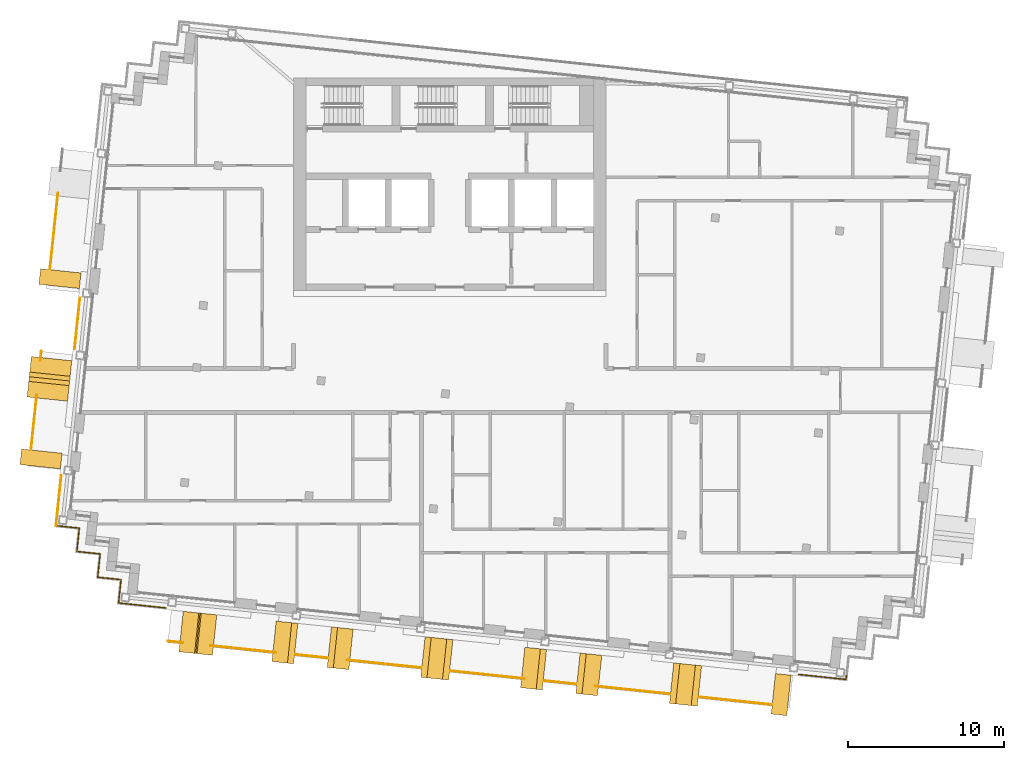
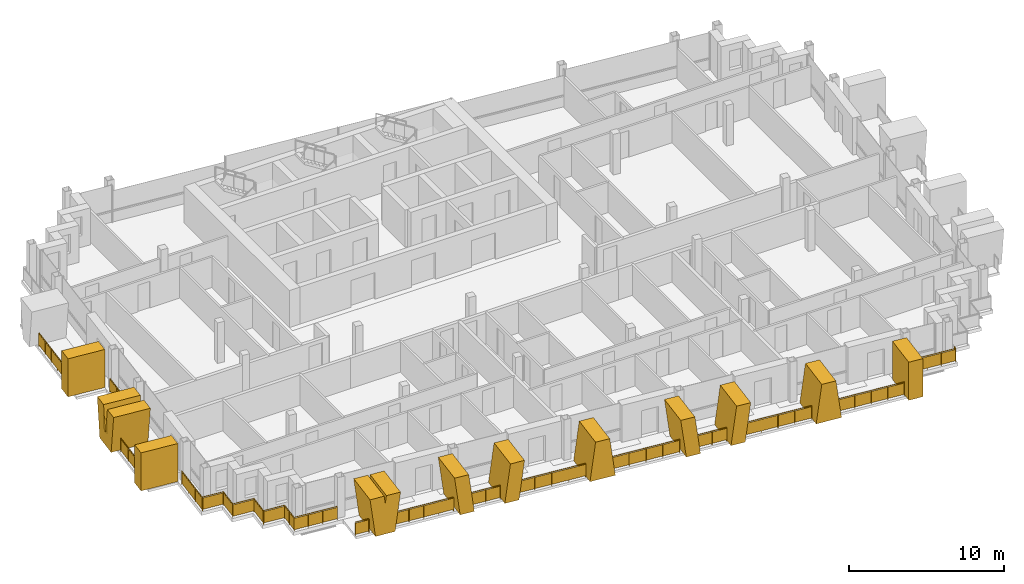
# One storey, part 14 of 17: 15 railings, 11 shading devices.
"""IFC4 building model written with IfcOpenShell, lengths in metres."""

import ifcopenshell
import ifcopenshell.guid

model = None  # the IFC model being written
_history = None  # IfcOwnerHistory: only IFC2X3 demands one
_inside = {}  # id of a spatial element -> (the spatial element, [elements in it])
_under = {}  # id of a project, library or spatial element -> (it, [spatial elements below it])
_declared = {}  # id of a project -> (the project, [libraries it declares])
_typed = {}  # id of a type object -> (the type object, [elements of that type])
_made_of = {}  # id of a material, layer set ... -> (it, [elements and type objects made of it])


def new_model(schema):
    """Start an empty IFC model of exactly this schema.

    Asked for "IFC4X3", IfcOpenShell would pick the latest addendum, in which some entities
    have other attributes; the version numbers below select the first issue.
    IFC2X3 requires an IfcOwnerHistory on every rooted entity: one is made here for all.
    """
    global model, _history
    if schema == "IFC4X3":
        model = ifcopenshell.file(schema_version=(4, 3, 0, 0))
    else:
        model = ifcopenshell.file(schema=schema)
    _inside.clear()
    _under.clear()
    _declared.clear()
    _typed.clear()
    _made_of.clear()
    _history = None
    if model.schema == "IFC2X3":
        org = make("IfcOrganization", Name="unknown")
        user = make(
            "IfcPersonAndOrganization",
            ThePerson=make("IfcPerson", FamilyName="unknown"),
            TheOrganization=org,
        )
        app = make(
            "IfcApplication",
            ApplicationDeveloper=org,
            Version="unknown",
            ApplicationFullName="unknown",
            ApplicationIdentifier="unknown",
        )
        _history = make(
            "IfcOwnerHistory",
            OwningUser=user,
            OwningApplication=app,
            ChangeAction="ADDED",
            CreationDate=0,
        )
    return model


def make(cls, **values):
    """One entity of the class cls with the attributes given. An attribute that is None is left unset."""
    return model.create_entity(
        cls, **{name: value for name, value in values.items() if value is not None}
    )


def rooted(cls, **values):
    """An entity with a GlobalId (a new one), such as an element, a storey or a relation."""
    return make(cls, GlobalId=ifcopenshell.guid.new(), OwnerHistory=_history, **values)


def si_unit(unit_type, name, prefix=None):
    """IfcSIUnit, for example si_unit("LENGTHUNIT", "METRE", prefix="MILLI")."""
    return make("IfcSIUnit", UnitType=unit_type, Prefix=prefix, Name=name)


def assignment(units):
    """IfcUnitAssignment: the units of a project."""
    return None if units is None else make("IfcUnitAssignment", Units=units)


def point(xyz):
    """IfcCartesianPoint."""
    return None if xyz is None else make("IfcCartesianPoint", Coordinates=xyz)


def direction(xyz):
    """IfcDirection."""
    return None if xyz is None else make("IfcDirection", DirectionRatios=xyz)


def frame(location, z_axis=None, x_axis=None):
    """IfcAxis2Placement3D, a coordinate frame: its origin and axes. An axis left out is left unset."""
    return make(
        "IfcAxis2Placement3D",
        Location=point(location),
        Axis=direction(z_axis),
        RefDirection=direction(x_axis),
    )


def frame_2d(location, x_axis=None):
    """IfcAxis2Placement2D, a coordinate frame in the plane: its origin and x axis."""
    return make(
        "IfcAxis2Placement2D", Location=point(location), RefDirection=direction(x_axis)
    )


def origin():
    """The frame at (0, 0, 0) with its axes left unset."""
    return frame((0.0, 0.0, 0.0))


def origin_2d():
    """The frame at (0, 0) in the plane with its x axis left unset."""
    return frame_2d((0.0, 0.0))


def place(relative_to, where):
    """IfcLocalPlacement: puts the frame where relative to a parent placement (None: the world)."""
    return make(
        "IfcLocalPlacement", PlacementRelTo=relative_to, RelativePlacement=where
    )


def context(
    kind, dimensions, precision=None, world=None, true_north=None, identifier=None
):
    """IfcGeometricRepresentationContext, for example the 3D "Model" context."""
    return make(
        "IfcGeometricRepresentationContext",
        ContextIdentifier=identifier,
        ContextType=kind,
        CoordinateSpaceDimension=dimensions,
        Precision=precision,
        WorldCoordinateSystem=world,
        TrueNorth=true_north,
    )


def subcontext(parent, identifier, kind, view, scale=None):
    """IfcGeometricRepresentationSubContext, for example "Body" below "Model"."""
    return make(
        "IfcGeometricRepresentationSubContext",
        ContextIdentifier=identifier,
        ContextType=kind,
        ParentContext=parent,
        TargetScale=scale,
        TargetView=view,
    )


def project(units=None, contexts=None):
    """IfcProject with its units and contexts."""
    return rooted(
        "IfcProject",
        Name="project",
        RepresentationContexts=contexts,
        UnitsInContext=assignment(units),
    )


def spatial(cls, under=None, at=None, **own):
    """A site, building, storey or space (cls), placed at a placement, below another one or the project."""
    s = rooted(cls, ObjectPlacement=at, **own)
    if under is not None:
        _under.setdefault(under.id(), (under, []))[1].append(s)
    return s


def polyline(points):
    """IfcPolyline through the points."""
    return make("IfcPolyline", Points=[point(p) for p in points])


def profile(cls, at=None, kind="AREA", **sizes):
    """A parametric profile (cls). Its sizes go by their IFC names, for example OverallWidth=200.0."""
    return make(cls, ProfileType=kind, Position=at, **sizes)


def rectangle(**sizes):
    """IfcRectangleProfileDef."""
    return profile("IfcRectangleProfileDef", **sizes)


def circle(**sizes):
    """IfcCircleProfileDef."""
    return profile("IfcCircleProfileDef", **sizes)


def outline(outer, holes=None, kind="AREA"):
    """IfcArbitraryClosedProfileDef: a profile drawn as a closed curve; with holes, ...WithVoids."""
    if holes is None:
        return make("IfcArbitraryClosedProfileDef", ProfileType=kind, OuterCurve=outer)
    return make(
        "IfcArbitraryProfileDefWithVoids",
        ProfileType=kind,
        OuterCurve=outer,
        InnerCurves=holes,
    )


def extrude(swept, where, along, depth):
    """IfcExtrudedAreaSolid: the profile swept, set in the frame where, extruded along a direction by depth."""
    return make(
        "IfcExtrudedAreaSolid",
        SweptArea=swept,
        Position=where,
        ExtrudedDirection=direction(along),
        Depth=depth,
    )


def shape(context_of_items, identifier, shape_type, items):
    """IfcShapeRepresentation: the items that make up one representation, for example the "Body"."""
    return make(
        "IfcShapeRepresentation",
        ContextOfItems=context_of_items,
        RepresentationIdentifier=identifier,
        RepresentationType=shape_type,
        Items=items,
    )


def material(Name=None, Category=None):
    """IfcMaterial."""
    return make("IfcMaterial", Name=Name, Category=Category)


def layer(
    of_material, thickness, ventilated=None, Name=None, Category=None, Priority=None
):
    """IfcMaterialLayer: one layer of a wall or slab, of a material (None: an air gap)."""
    return make(
        "IfcMaterialLayer",
        Material=of_material,
        LayerThickness=thickness,
        IsVentilated=ventilated,
        Name=Name,
        Category=Category,
        Priority=Priority,
    )


def layer_set(layers, Name=None):
    """IfcMaterialLayerSet."""
    return make("IfcMaterialLayerSet", MaterialLayers=layers, LayerSetName=Name)


def made_of(thing, what):
    """Note that an element or type object is made of a material, layer set ...; save() writes the relation."""
    if what is not None:
        _made_of.setdefault(what.id(), (what, []))[1].append(thing)
    return thing


def type_object(cls, material=None, **own):
    """A type object (cls), such as IfcWallType, which elements share."""
    return made_of(rooted(cls, **own), material)


def element(
    cls,
    number,
    at=None,
    inside=None,
    cuts=None,
    type_object=None,
    material=None,
    context=None,
    identifier="Body",
    shape_type=None,
    held_by="IfcProductDefinitionShape",
    body=None,
    shapes=None,
    **own,
):
    """One element of the class cls, such as IfcWall. Its Tag is "e" and its number.

    at: its placement. inside: the storey or other place that contains it. cuts: it is an
    opening in that element (IfcRelVoidsElement). A single representation is given by context,
    identifier, shape_type and body (its items); several are given by shapes. held_by: the class
    of the entity that holds the representations. save() writes the other relations.
    """
    e = rooted(cls, Tag="e%d" % number, ObjectPlacement=at, **own)
    if body is not None:
        shapes = [shape(context, identifier, shape_type, body)]
    if shapes is not None:
        e.Representation = make(held_by, Representations=shapes)
    if inside is not None:
        _inside.setdefault(inside.id(), (inside, []))[1].append(e)
    if cuts is not None:
        rooted(
            "IfcRelVoidsElement", RelatingBuildingElement=cuts, RelatedOpeningElement=e
        )
    if type_object is not None:
        _typed.setdefault(type_object.id(), (type_object, []))[1].append(e)
    return made_of(e, material)


def aggregate(whole, parts):
    """IfcRelAggregates: a whole, such as a stair, and the parts it consists of."""
    return rooted("IfcRelAggregates", RelatingObject=whole, RelatedObjects=parts)


def save(model, path):
    """Write the relations noted so far, then the file.

    IfcRelAggregates (storeys below a building ...), IfcRelContainedInSpatialStructure (elements
    in a storey), IfcRelDefinesByType, IfcRelAssociatesMaterial and IfcRelDeclares: one each for
    every whole, place, type object, material and project.
    """
    for whole, parts in _under.values():
        aggregate(whole, parts)
    for where, things in _inside.values():
        rooted(
            "IfcRelContainedInSpatialStructure",
            RelatedElements=things,
            RelatingStructure=where,
        )
    for kind, things in _typed.values():
        rooted("IfcRelDefinesByType", RelatedObjects=things, RelatingType=kind)
    for what, things in _made_of.values():
        rooted("IfcRelAssociatesMaterial", RelatedObjects=things, RelatingMaterial=what)
    for by, libraries in _declared.values():
        rooted("IfcRelDeclares", RelatingContext=by, RelatedDefinitions=libraries)
    model.write(path)


model = new_model("IFC4")

# Units and contexts
model_context = context("Model", 3, precision=1e-05, world=origin(), true_north=direction((0.0, 1.0)))
body_context = subcontext(model_context, "Body", "Model", "MODEL_VIEW")
ifc_project = project(units=[si_unit("LENGTHUNIT", "METRE"), si_unit("AREAUNIT", "SQUARE_METRE"), si_unit("VOLUMEUNIT", "CUBIC_METRE"), si_unit("PLANEANGLEUNIT", "RADIAN"), si_unit("MASSUNIT", "GRAM", prefix="KILO")], contexts=[model_context])

# Site, building, storey
site_placement = place(None, origin())
site = spatial("IfcSite", under=ifc_project, at=site_placement, CompositionType="ELEMENT")
building_placement = place(site_placement, origin())
building = spatial("IfcBuilding", under=site, at=building_placement, Name="Vidyagriha Tower", CompositionType="ELEMENT")
storey_placement = place(building_placement, frame((0.0, 0.0, 265.89990234375)))
storey = spatial("IfcBuildingStorey", under=building, at=storey_placement, Name="L69", CompositionType="ELEMENT", Elevation=265.89990234375)

# Railings
ifc_material_1 = material(Name="Steel ASTM A500 Grade C black painted", Category="steel")
railing_type_1 = type_object("IfcRailingType", Name="Balcony guard 1100", PredefinedType="BALUSTRADE", material=ifc_material_1)
railing_1_placement = place(storey_placement, frame((-25.069580078125, 12.647216796875, 0.0)))
element("IfcRailing", 1, at=railing_1_placement, inside=storey, type_object=railing_type_1, Name="Balcony guard L69 R14.1-2", PredefinedType="BALUSTRADE", context=body_context, shape_type="SweptSolid", body=[
    extrude(circle(Radius=0.02490234375, at=origin_2d()), frame((0.0, 0.0, 1.0751953125), z_axis=(-0.10450310713, -0.994524560079, 0.0), x_axis=(0.994524560079, -0.10450310713, 0.0)), (0.0, 0.0, 1.0), 4.896728515625),
    extrude(circle(Radius=0.02001953125, at=origin_2d()), origin(), (0.0, 0.0, 1.0), 1.050048828125),
    extrude(circle(Radius=0.02001953125, at=origin_2d()), frame((-0.102294921875, -0.973876953125, 0.0)), (0.0, 0.0, 1.0), 1.050048828125),
    extrude(circle(Radius=0.02001953125, at=origin_2d()), frame((-0.20458984375, -1.947998046875, 0.0)), (0.0, 0.0, 1.0), 1.050048828125),
    extrude(circle(Radius=0.02001953125, at=origin_2d()), frame((-0.30712890625, -2.921875, 0.0)), (0.0, 0.0, 1.0), 1.050048828125),
    extrude(circle(Radius=0.02001953125, at=origin_2d()), frame((-0.409423828125, -3.89599609375, 0.0)), (0.0, 0.0, 1.0), 1.050048828125),
    extrude(circle(Radius=0.02001953125, at=origin_2d()), frame((-0.51171875, -4.869873046875, 0.0)), (0.0, 0.0, 1.0), 1.050048828125),
    extrude(rectangle(XDim=0.010009765625, YDim=0.900146484375, at=origin_2d()), frame((0.0, 0.0, 0.550048828125), z_axis=(-0.10450310713, -0.994524560079, 0.0), x_axis=(0.994524560079, -0.10450310713, 0.0)), (0.0, 0.0, 1.0), 4.896728515625),
])
railing_2_placement = place(storey_placement, frame((-26.13525390625, 2.50634765625, 0.0)))
element("IfcRailing", 2, at=railing_2_placement, inside=storey, type_object=railing_type_1, Name="Balcony guard L69 R14.2-1", PredefinedType="BALUSTRADE", context=body_context, shape_type="SweptSolid", body=[
    extrude(circle(Radius=0.02490234375, at=origin_2d()), frame((0.0, 0.0, 1.0751953125), z_axis=(-0.104769999459, -0.994496479236, 0.0), x_axis=(0.994496479236, -0.104769999459, 0.0)), (0.0, 0.0, 1.0), 0.596435546875),
    extrude(circle(Radius=0.02001953125, at=origin_2d()), origin(), (0.0, 0.0, 1.0), 1.050048828125),
    extrude(circle(Radius=0.02001953125, at=origin_2d()), frame((-0.0625, -0.59326171875, 0.0)), (0.0, 0.0, 1.0), 1.050048828125),
    extrude(rectangle(XDim=0.010009765625, YDim=0.900146484375, at=origin_2d()), frame((0.0, 0.0, 0.550048828125), z_axis=(-0.104769999459, -0.994496479236, 0.0), x_axis=(0.994496479236, -0.104769999459, 0.0)), (0.0, 0.0, 1.0), 0.596435546875),
])
railing_3_placement = place(storey_placement, frame((-26.428466796875, -0.281494140625, 0.0)))
element("IfcRailing", 3, at=railing_3_placement, inside=storey, type_object=railing_type_1, Name="Balcony guard L69 R14.2-2", PredefinedType="BALUSTRADE", context=body_context, shape_type="SweptSolid", body=[
    extrude(circle(Radius=0.02490234375, at=origin_2d()), frame((0.0, 0.0, 1.0751953125), z_axis=(-0.104521231062, -0.994522655477, 0.0), x_axis=(0.994522655477, -0.104521231062, 0.0)), (0.0, 0.0, 1.0), 3.49658203125),
    extrude(circle(Radius=0.02001953125, at=origin_2d()), origin(), (0.0, 0.0, 1.0), 1.050048828125),
    extrude(circle(Radius=0.02001953125, at=origin_2d()), frame((-0.121826171875, -1.1591796875, 0.0)), (0.0, 0.0, 1.0), 1.050048828125),
    extrude(circle(Radius=0.02001953125, at=origin_2d()), frame((-0.24365234375, -2.318359375, 0.0)), (0.0, 0.0, 1.0), 1.050048828125),
    extrude(circle(Radius=0.02001953125, at=origin_2d()), frame((-0.365478515625, -3.4775390625, 0.0)), (0.0, 0.0, 1.0), 1.050048828125),
    extrude(rectangle(XDim=0.010009765625, YDim=0.900146484375, at=origin_2d()), frame((0.0, 0.0, 0.550048828125), z_axis=(-0.104521231062, -0.994522655477, 0.0), x_axis=(0.994522655477, -0.104521231062, 0.0)), (0.0, 0.0, 1.0), 3.49658203125),
])
railing_4_placement = place(storey_placement, frame((-18.02978515625, -16.04248046875, 0.0)))
element("IfcRailing", 4, at=railing_4_placement, inside=storey, type_object=railing_type_1, Name="Balcony guard L69 R21.1-1", PredefinedType="BALUSTRADE", context=body_context, shape_type="SweptSolid", body=[
    extrude(circle(Radius=0.02490234375, at=origin_2d()), frame((0.0, 0.0, 1.0751953125), z_axis=(0.994515209547, -0.104592055047, 0.0), x_axis=(0.104592055047, 0.994515209547, 0.0)), (0.0, 0.0, 1.0), 0.95947265625),
    extrude(circle(Radius=0.02001953125, at=origin_2d()), origin(), (0.0, 0.0, 1.0), 1.050048828125),
    extrude(circle(Radius=0.02001953125, at=origin_2d()), frame((0.9541015625, -0.100341796875, 0.0)), (0.0, 0.0, 1.0), 1.050048828125),
    extrude(rectangle(XDim=0.010009765625, YDim=0.900146484375, at=origin_2d()), frame((0.0, 0.0, 0.550048828125), z_axis=(0.994515209547, -0.104592055047, 0.0), x_axis=(0.104592055047, 0.994515209547, 0.0)), (0.0, 0.0, 1.0), 0.95947265625),
])
railing_5_placement = place(storey_placement, frame((-15.303955078125, -16.3291015625, 0.0)))
element("IfcRailing", 5, at=railing_5_placement, inside=storey, type_object=railing_type_1, Name="Balcony guard L69 R21.1-2", PredefinedType="BALUSTRADE", context=body_context, shape_type="SweptSolid", body=[
    extrude(circle(Radius=0.02490234375, at=origin_2d()), frame((0.0, 0.0, 1.0751953125), z_axis=(0.994524217141, -0.104506370715, 0.0), x_axis=(0.104506370715, 0.994524217141, 0.0)), (0.0, 0.0, 1.0), 4.20263671875),
    extrude(circle(Radius=0.02001953125, at=origin_2d()), origin(), (0.0, 0.0, 1.0), 1.050048828125),
    extrude(circle(Radius=0.02001953125, at=origin_2d()), frame((1.044921875, -0.10986328125, 0.0)), (0.0, 0.0, 1.0), 1.050048828125),
    extrude(circle(Radius=0.02001953125, at=origin_2d()), frame((2.08984375, -0.2197265625, 0.0)), (0.0, 0.0, 1.0), 1.050048828125),
    extrude(circle(Radius=0.02001953125, at=origin_2d()), frame((3.134765625, -0.329345703125, 0.0)), (0.0, 0.0, 1.0), 1.050048828125),
    extrude(circle(Radius=0.02001953125, at=origin_2d()), frame((4.1796875, -0.439208984375, 0.0)), (0.0, 0.0, 1.0), 1.050048828125),
    extrude(rectangle(XDim=0.010009765625, YDim=0.900146484375, at=origin_2d()), frame((0.0, 0.0, 0.550048828125), z_axis=(0.994524217141, -0.104506370715, 0.0), x_axis=(0.104506370715, 0.994524217141, 0.0)), (0.0, 0.0, 1.0), 4.20263671875),
])
railing_6_placement = place(storey_placement, frame((-9.879638671875, -16.899169921875, 0.0)))
element("IfcRailing", 6, at=railing_6_placement, inside=storey, type_object=railing_type_1, Name="Balcony guard L69 R21.1-3", PredefinedType="BALUSTRADE", context=body_context, shape_type="SweptSolid", body=[
    extrude(circle(Radius=0.02490234375, at=origin_2d()), frame((0.0, 0.0, 1.0751953125), z_axis=(0.994522323373, -0.104524390993, 0.0), x_axis=(0.104524390993, 0.994522323373, 0.0)), (0.0, 0.0, 1.0), 2.06005859375),
    extrude(circle(Radius=0.02001953125, at=origin_2d()), origin(), (0.0, 0.0, 1.0), 1.050048828125),
    extrude(circle(Radius=0.02001953125, at=origin_2d()), frame((1.0244140625, -0.107666015625, 0.0)), (0.0, 0.0, 1.0), 1.050048828125),
    extrude(circle(Radius=0.02001953125, at=origin_2d()), frame((2.048828125, -0.21533203125, 0.0)), (0.0, 0.0, 1.0), 1.050048828125),
    extrude(rectangle(XDim=0.010009765625, YDim=0.900146484375, at=origin_2d()), frame((0.0, 0.0, 0.550048828125), z_axis=(0.994522323373, -0.104524390993, 0.0), x_axis=(0.104524390993, 0.994522323373, 0.0)), (0.0, 0.0, 1.0), 2.06005859375),
])
railing_7_placement = place(storey_placement, frame((-6.58642578125, -17.245361328125, 0.0)))
element("IfcRailing", 7, at=railing_7_placement, inside=storey, type_object=railing_type_1, Name="Balcony guard L69 R21.1-4", PredefinedType="BALUSTRADE", context=body_context, shape_type="SweptSolid", body=[
    extrude(circle(Radius=0.02490234375, at=origin_2d()), frame((0.0, 0.0, 1.0751953125), z_axis=(0.994526450542, -0.104485114597, 0.0), x_axis=(0.104485114597, 0.994526450542, 0.0)), (0.0, 0.0, 1.0), 4.773681640625),
    extrude(circle(Radius=0.02001953125, at=origin_2d()), origin(), (0.0, 0.0, 1.0), 1.050048828125),
    extrude(circle(Radius=0.02001953125, at=origin_2d()), frame((1.18701171875, -0.124755859375, 0.0)), (0.0, 0.0, 1.0), 1.050048828125),
    extrude(circle(Radius=0.02001953125, at=origin_2d()), frame((2.373779296875, -0.24951171875, 0.0)), (0.0, 0.0, 1.0), 1.050048828125),
    extrude(circle(Radius=0.02001953125, at=origin_2d()), frame((3.560546875, -0.3740234375, 0.0)), (0.0, 0.0, 1.0), 1.050048828125),
    extrude(circle(Radius=0.02001953125, at=origin_2d()), frame((4.74755859375, -0.498779296875, 0.0)), (0.0, 0.0, 1.0), 1.050048828125),
    extrude(rectangle(XDim=0.010009765625, YDim=0.900146484375, at=origin_2d()), frame((0.0, 0.0, 0.550048828125), z_axis=(0.994526450542, -0.104485114597, 0.0), x_axis=(0.104485114597, 0.994526450542, 0.0)), (0.0, 0.0, 1.0), 4.773681640625),
])
railing_8_placement = place(storey_placement, frame((0.040771484375, -17.94189453125, 0.0)))
element("IfcRailing", 8, at=railing_8_placement, inside=storey, type_object=railing_type_1, Name="Balcony guard L69 R21.1-5", PredefinedType="BALUSTRADE", context=body_context, shape_type="SweptSolid", body=[
    extrude(circle(Radius=0.02490234375, at=origin_2d()), frame((0.0, 0.0, 1.0751953125), z_axis=(0.994525892164, -0.104490429298, 0.0), x_axis=(0.104490429298, 0.994525892164, 0.0)), (0.0, 0.0, 1.0), 4.7734375),
    extrude(circle(Radius=0.02001953125, at=origin_2d()), origin(), (0.0, 0.0, 1.0), 1.050048828125),
    extrude(circle(Radius=0.02001953125, at=origin_2d()), frame((1.186767578125, -0.124755859375, 0.0)), (0.0, 0.0, 1.0), 1.050048828125),
    extrude(circle(Radius=0.02001953125, at=origin_2d()), frame((2.37353515625, -0.24951171875, 0.0)), (0.0, 0.0, 1.0), 1.050048828125),
    extrude(circle(Radius=0.02001953125, at=origin_2d()), frame((3.560546875, -0.3740234375, 0.0)), (0.0, 0.0, 1.0), 1.050048828125),
    extrude(circle(Radius=0.02001953125, at=origin_2d()), frame((4.747314453125, -0.498779296875, 0.0)), (0.0, 0.0, 1.0), 1.050048828125),
    extrude(rectangle(XDim=0.010009765625, YDim=0.900146484375, at=origin_2d()), frame((0.0, 0.0, 0.550048828125), z_axis=(0.994525892164, -0.104490429298, 0.0), x_axis=(0.104490429298, 0.994525892164, 0.0)), (0.0, 0.0, 1.0), 4.7734375),
])
railing_9_placement = place(storey_placement, frame((6.03271484375, -18.571533203125, 0.0)))
element("IfcRailing", 9, at=railing_9_placement, inside=storey, type_object=railing_type_1, Name="Balcony guard L69 R21.1-6", PredefinedType="BALUSTRADE", context=body_context, shape_type="SweptSolid", body=[
    extrude(circle(Radius=0.02490234375, at=origin_2d()), frame((0.0, 0.0, 1.0751953125), z_axis=(0.994522323373, -0.104524390993, 0.0), x_axis=(0.104524390993, 0.994522323373, 0.0)), (0.0, 0.0, 1.0), 2.06005859375),
    extrude(circle(Radius=0.02001953125, at=origin_2d()), origin(), (0.0, 0.0, 1.0), 1.050048828125),
    extrude(circle(Radius=0.02001953125, at=origin_2d()), frame((1.0244140625, -0.107666015625, 0.0)), (0.0, 0.0, 1.0), 1.050048828125),
    extrude(circle(Radius=0.02001953125, at=origin_2d()), frame((2.048828125, -0.21533203125, 0.0)), (0.0, 0.0, 1.0), 1.050048828125),
    extrude(rectangle(XDim=0.010009765625, YDim=0.900146484375, at=origin_2d()), frame((0.0, 0.0, 0.550048828125), z_axis=(0.994522323373, -0.104524390993, 0.0), x_axis=(0.104524390993, 0.994522323373, 0.0)), (0.0, 0.0, 1.0), 2.06005859375),
])
railing_10_placement = place(storey_placement, frame((9.325927734375, -18.917724609375, 0.0)))
element("IfcRailing", 10, at=railing_10_placement, inside=storey, type_object=railing_type_1, Name="Balcony guard L69 R21.1-7", PredefinedType="BALUSTRADE", context=body_context, shape_type="SweptSolid", body=[
    extrude(circle(Radius=0.02490234375, at=origin_2d()), frame((0.0, 0.0, 1.0751953125), z_axis=(0.994521134852, -0.10453569884, 0.0), x_axis=(0.10453569884, 0.994521134852, 0.0)), (0.0, 0.0, 1.0), 4.773681640625),
    extrude(circle(Radius=0.02001953125, at=origin_2d()), origin(), (0.0, 0.0, 1.0), 1.050048828125),
    extrude(circle(Radius=0.02001953125, at=origin_2d()), frame((1.18701171875, -0.124755859375, 0.0)), (0.0, 0.0, 1.0), 1.050048828125),
    extrude(circle(Radius=0.02001953125, at=origin_2d()), frame((2.373779296875, -0.24951171875, 0.0)), (0.0, 0.0, 1.0), 1.050048828125),
    extrude(circle(Radius=0.02001953125, at=origin_2d()), frame((3.560546875, -0.374267578125, 0.0)), (0.0, 0.0, 1.0), 1.050048828125),
    extrude(circle(Radius=0.02001953125, at=origin_2d()), frame((4.74755859375, -0.4990234375, 0.0)), (0.0, 0.0, 1.0), 1.050048828125),
    extrude(rectangle(XDim=0.010009765625, YDim=0.900146484375, at=origin_2d()), frame((0.0, 0.0, 0.550048828125), z_axis=(0.994521134852, -0.10453569884, 0.0), x_axis=(0.10453569884, 0.994521134852, 0.0)), (0.0, 0.0, 1.0), 4.773681640625),
])
railing_11_placement = place(storey_placement, frame((15.953125, -19.6142578125, 0.0)))
element("IfcRailing", 11, at=railing_11_placement, inside=storey, type_object=railing_type_1, Name="Balcony guard L69 R21.1-8", PredefinedType="BALUSTRADE", context=body_context, shape_type="SweptSolid", body=[
    extrude(circle(Radius=0.02490234375, at=origin_2d()), frame((0.0, 0.0, 1.0751953125), z_axis=(0.994521821812, -0.104529163109, 0.0), x_axis=(0.104529163109, 0.994521821812, 0.0)), (0.0, 0.0, 1.0), 4.65478515625),
    extrude(circle(Radius=0.02001953125, at=origin_2d()), origin(), (0.0, 0.0, 1.0), 1.050048828125),
    extrude(circle(Radius=0.02001953125, at=origin_2d()), frame((1.1572265625, -0.12158203125, 0.0)), (0.0, 0.0, 1.0), 1.050048828125),
    extrude(circle(Radius=0.02001953125, at=origin_2d()), frame((2.314697265625, -0.2431640625, 0.0)), (0.0, 0.0, 1.0), 1.050048828125),
    extrude(circle(Radius=0.02001953125, at=origin_2d()), frame((3.47216796875, -0.364990234375, 0.0)), (0.0, 0.0, 1.0), 1.050048828125),
    extrude(circle(Radius=0.02001953125, at=origin_2d()), frame((4.62939453125, -0.486572265625, 0.0)), (0.0, 0.0, 1.0), 1.050048828125),
    extrude(rectangle(XDim=0.010009765625, YDim=0.900146484375, at=origin_2d()), frame((0.0, 0.0, 0.550048828125), z_axis=(0.994521821812, -0.104529163109, 0.0), x_axis=(0.104529163109, 0.994521821812, 0.0)), (0.0, 0.0, 1.0), 4.65478515625),
])

# Shading devices
ifc_material_2 = material(Name="Precast concrete C40/50 with buff brick facing", Category="concrete")
ifc_layer_1 = layer(ifc_material_2, 1.0)
ifc_layer_set_1 = layer_set([ifc_layer_1], Name="Precast concrete C40/50 with buff brick facing")
shading_device_type_1 = type_object("IfcShadingDeviceType", Name="Brick-faced blade fin arm leaning 8 degrees", PredefinedType="USERDEFINED", material=ifc_layer_set_1)
shading_device_1_placement = place(storey_placement, frame((-7.7080078125, -16.423583984375, 0.0), z_axis=(0.0, 0.0, 1.0), x_axis=(0.994525575058, -0.104493447432, 0.0)))
element("IfcShadingDevice", 12, at=shading_device_1_placement, inside=storey, type_object=shading_device_type_1, Name="Leaning blade fin L69 R21.1030a", ObjectType="BLADE FIN", PredefinedType="USERDEFINED", context=body_context, shape_type="SweptSolid", body=[
    extrude(outline(polyline([(0.0, 0.0), (1.0, 0.0), (1.39501953125, 3.0), (0.39501953125, 3.0), (0.0, 0.0)])), frame((0.0, 1.300048828125, 0.0), z_axis=(0.0, -1.0, 0.0), x_axis=(1.0, 0.0, 0.0)), (0.0, 0.0, 1.0), 2.60009765625),
])
shading_device_2_placement = place(storey_placement, frame((-11.243408203125, -16.052001953125, 0.0), z_axis=(0.0, 0.0, 1.0), x_axis=(0.994525575058, -0.104493447432, 0.0)))
element("IfcShadingDevice", 13, at=shading_device_2_placement, inside=storey, type_object=shading_device_type_1, Name="Leaning blade fin L69 R21.1030b", ObjectType="BLADE FIN", PredefinedType="USERDEFINED", context=body_context, shape_type="SweptSolid", body=[
    extrude(outline(polyline([(0.39501953125, 0.0), (1.39501953125, 0.0), (1.0, 3.0), (0.0, 3.0), (0.39501953125, 0.0)])), frame((0.0, 1.300048828125, 0.0), z_axis=(0.0, -1.0, 0.0), x_axis=(1.0, 0.0, 0.0)), (0.0, 0.0, 1.0), 2.60009765625),
])
shading_device_3_placement = place(storey_placement, frame((8.204345703125, -18.095947265625, 0.0), z_axis=(0.0, 0.0, 1.0), x_axis=(0.9945274857, -0.104475261123, 0.0)))
element("IfcShadingDevice", 14, at=shading_device_3_placement, inside=storey, type_object=shading_device_type_1, Name="Leaning blade fin L69 R21.2630a", ObjectType="BLADE FIN", PredefinedType="USERDEFINED", context=body_context, shape_type="SweptSolid", body=[
    extrude(outline(polyline([(0.0, 0.0), (1.0, 0.0), (1.39501953125, 3.0), (0.39501953125, 3.0), (0.0, 0.0)])), frame((0.0, 1.300048828125, 0.0), z_axis=(0.0, -1.0, 0.0), x_axis=(1.0, 0.0, 0.0)), (0.0, 0.0, 1.0), 2.60009765625),
])
shading_device_4_placement = place(storey_placement, frame((4.668701171875, -17.724365234375, 0.0), z_axis=(0.0, 0.0, 1.0), x_axis=(0.9945274857, -0.104475261123, 0.0)))
element("IfcShadingDevice", 15, at=shading_device_4_placement, inside=storey, type_object=shading_device_type_1, Name="Leaning blade fin L69 R21.2630b", ObjectType="BLADE FIN", PredefinedType="USERDEFINED", context=body_context, shape_type="SweptSolid", body=[
    extrude(outline(polyline([(0.39501953125, 0.0), (1.39501953125, 0.0), (1.0, 3.0), (0.0, 3.0), (0.39501953125, 0.0)])), frame((0.0, 1.300048828125, 0.0), z_axis=(0.0, -1.0, 0.0), x_axis=(1.0, 0.0, 0.0)), (0.0, 0.0, 1.0), 2.60009765625),
])
ifc_material_3 = material(Name="Precast concrete C40/50 with buff brick facing", Category="concrete")
ifc_layer_2 = layer(ifc_material_3, 1.0)
ifc_layer_set_2 = layer_set([ifc_layer_2], Name="Precast concrete C40/50 with buff brick facing")
shading_device_type_2 = type_object("IfcShadingDeviceType", Name="Brick-faced blade fin forking 8 degrees", PredefinedType="USERDEFINED", material=ifc_layer_set_2)
shading_device_5_placement = place(storey_placement, frame((-25.48095703125, 2.035400390625, 0.0), z_axis=(0.0, 0.0, 1.0), x_axis=(-0.104513699976, -0.994523446942, 0.0)))
element("IfcShadingDevice", 16, at=shading_device_5_placement, inside=storey, type_object=shading_device_type_2, Name="Forked blade fin L69 R14.1630a", ObjectType="BLADE FIN", PredefinedType="USERDEFINED", context=body_context, shape_type="SweptSolid", body=[
    extrude(outline(polyline([(0.39990234375, 0.0), (2.199951171875, 0.0), (2.60009765625, 3.0), (1.60009765625, 3.0), (1.300048828125, 0.75), (1.0, 3.0), (0.0, 3.0), (0.39990234375, 0.0)])), frame((0.0, 1.300048828125, 0.0), z_axis=(0.0, -1.0, 0.0), x_axis=(1.0, 0.0, 0.0)), (0.0, 0.0, 1.0), 2.60009765625),
])
shading_device_6_placement = place(storey_placement, frame((-17.189453125, -15.427001953125, 0.0), z_axis=(0.0, 0.0, 1.0), x_axis=(0.994517847883, -0.104566965344, 0.0)))
element("IfcShadingDevice", 17, at=shading_device_6_placement, inside=storey, type_object=shading_device_type_2, Name="Forked blade fin L69 R21.230a", ObjectType="BLADE FIN", PredefinedType="USERDEFINED", context=body_context, shape_type="SweptSolid", body=[
    extrude(outline(polyline([(0.3857421875, 0.0), (1.771484375, 0.0), (2.1572265625, 3.0), (1.1572265625, 3.0), (1.07861328125, 2.388916015625), (1.0, 3.0), (0.0, 3.0), (0.3857421875, 0.0)])), frame((0.0, 1.300048828125, 0.0), z_axis=(0.0, -1.0, 0.0), x_axis=(1.0, 0.0, 0.0)), (0.0, 0.0, 1.0), 2.60009765625),
])
for number, where, z_axis, x_axis, name in (
    (18, (-1.716064453125, -17.05322265625, 0.0), (0.0, 0.0, 1.0), (0.994513670273, -0.104606690222, 0.0), "Forked blade fin L69 R21.1830a"),
    (19, (14.1962890625, -18.725830078125, 0.0), (0.0, 0.0, 1.0), (0.994527849757, -0.104471795517, 0.0), "Forked blade fin L69 R21.3430a"),
):
    element("IfcShadingDevice", number, at=place(storey_placement, frame(where, z_axis=z_axis, x_axis=x_axis)), inside=storey, type_object=shading_device_type_2, Name=name, ObjectType="BLADE FIN", PredefinedType="USERDEFINED", context=body_context, shape_type="SweptSolid", body=[
        extrude(outline(polyline([(0.0, 0.0), (1.7900390625, 0.0), (1.39501953125, 3.0), (0.39501953125, 3.0), (0.0, 0.0)])), frame((0.0, 1.300048828125, 0.0), z_axis=(0.0, -1.0, 0.0), x_axis=(1.0, 0.0, 0.0)), (0.0, 0.0, 1.0), 2.60009765625),
    ])
ifc_material_4 = material(Name="Precast concrete C40/50 with buff brick facing", Category="concrete")
ifc_layer_3 = layer(ifc_material_4, 1.0)
ifc_layer_set_3 = layer_set([ifc_layer_3], Name="Precast concrete C40/50 with buff brick facing")
shading_device_type_3 = type_object("IfcShadingDeviceType", Name="Brick-faced blade fin stem 1000", PredefinedType="USERDEFINED", material=ifc_layer_set_3)
for number, where, z_axis, x_axis, name in (
    (20, (-24.890380859375, 7.654541015625, 0.0), (0.0, 0.0, 1.0), (-0.104481464157, -0.994526834051, 0.0), "Stem blade fin L69 R14.1230a"),
    (21, (-26.102783203125, -3.882080078125, 0.0), (0.0, 0.0, 1.0), (-0.104748335039, -0.99449876134, 0.0), "Stem blade fin L69 R14.2370a"),
    (22, (20.70556640625, -19.409912109375, 0.0), (0.0, 0.0, 1.0), (0.994524168223, -0.104506836238, 0.0), "Stem blade fin L69 R21.4230a"),
):
    element("IfcShadingDevice", number, at=place(storey_placement, frame(where, z_axis=z_axis, x_axis=x_axis)), inside=storey, type_object=shading_device_type_3, Name=name, ObjectType="BLADE FIN", PredefinedType="USERDEFINED", context=body_context, shape_type="SweptSolid", body=[
        extrude(outline(polyline([(0.0, 0.0), (1.0, 0.0), (1.0, 3.0), (0.0, 3.0), (0.0, 0.0)])), frame((0.0, 1.300048828125, 0.0), z_axis=(0.0, -1.0, 0.0), x_axis=(1.0, 0.0, 0.0)), (0.0, 0.0, 1.0), 2.60009765625),
    ])

# Railings
ifc_material_5 = material(Name="Steel ASTM A500 Grade C black painted", Category="steel")
railing_type_2 = type_object("IfcRailingType", Name="Gallery guard 1100", PredefinedType="GUARDRAIL", material=ifc_material_5)
railing_12_placement = place(storey_placement, frame((-18.168212890625, -13.91650390625, 0.0)))
element("IfcRailing", 23, at=railing_12_placement, inside=storey, type_object=railing_type_2, Name="Gallery guard L69 1", PredefinedType="GUARDRAIL", context=body_context, shape_type="SweptSolid", body=[
    extrude(circle(Radius=0.02490234375, at=origin_2d()), frame((0.0, 0.0, 1.0751953125), z_axis=(-0.994518646122, 0.104559373163, 0.0), x_axis=(-0.104559373163, -0.994518646122, 0.0)), (0.0, 0.0, 1.0), 3.0400390625),
    extrude(circle(Radius=0.02490234375, at=origin_2d()), frame((-3.0234375, 0.31787109375, 1.0751953125), z_axis=(0.104481464157, 0.994526834051, 0.0), x_axis=(-0.994526834051, 0.104481464157, 0.0)), (0.0, 0.0, 1.0), 1.500244140625),
    extrude(circle(Radius=0.02490234375, at=origin_2d()), frame((-2.86669921875, 1.809814453125, 1.0751953125), z_axis=(-0.994525057048, 0.104498377516, 0.0), x_axis=(-0.104498377516, -0.994525057048, 0.0)), (0.0, 0.0, 1.0), 1.5),
    extrude(circle(Radius=0.02490234375, at=origin_2d()), frame((-4.3583984375, 1.966552734375, 1.0751953125), z_axis=(0.104498377516, 0.994525057048, 0.0), x_axis=(-0.994525057048, 0.104498377516, 0.0)), (0.0, 0.0, 1.0), 1.5),
    extrude(circle(Radius=0.02490234375, at=origin_2d()), frame((-4.20166015625, 3.458251953125, 1.0751953125), z_axis=(-0.994525057048, 0.104498377516, 0.0), x_axis=(-0.104498377516, -0.994525057048, 0.0)), (0.0, 0.0, 1.0), 1.5),
    extrude(circle(Radius=0.02490234375, at=origin_2d()), frame((-5.693359375, 3.614990234375, 1.0751953125), z_axis=(0.104498377516, 0.994525057048, 0.0), x_axis=(-0.994525057048, 0.104498377516, 0.0)), (0.0, 0.0, 1.0), 1.5),
    extrude(circle(Radius=0.02490234375, at=origin_2d()), frame((-5.53662109375, 5.106689453125, 1.0751953125), z_axis=(-0.994505452921, 0.104684784518, 0.0), x_axis=(-0.104684784518, -0.994505452921, 0.0)), (0.0, 0.0, 1.0), 1.4599609375),
    extrude(circle(Radius=0.02001953125, at=origin_2d()), origin(), (0.0, 0.0, 1.0), 1.050048828125),
    extrude(circle(Radius=0.02001953125, at=origin_2d()), frame((-1.0078125, 0.10595703125, 0.0)), (0.0, 0.0, 1.0), 1.050048828125),
    extrude(circle(Radius=0.02001953125, at=origin_2d()), frame((-2.015625, 0.2119140625, 0.0)), (0.0, 0.0, 1.0), 1.050048828125),
    extrude(circle(Radius=0.02001953125, at=origin_2d()), frame((-3.0234375, 0.31787109375, 0.0)), (0.0, 0.0, 1.0), 1.050048828125),
    extrude(circle(Radius=0.02001953125, at=origin_2d()), frame((-2.945068359375, 1.06396484375, 0.0)), (0.0, 0.0, 1.0), 1.050048828125),
    extrude(circle(Radius=0.02001953125, at=origin_2d()), frame((-2.86669921875, 1.809814453125, 0.0)), (0.0, 0.0, 1.0), 1.050048828125),
    extrude(circle(Radius=0.02001953125, at=origin_2d()), frame((-4.3583984375, 1.966552734375, 0.0)), (0.0, 0.0, 1.0), 1.050048828125),
    extrude(circle(Radius=0.02001953125, at=origin_2d()), frame((-4.20166015625, 3.458251953125, 0.0)), (0.0, 0.0, 1.0), 1.050048828125),
    extrude(circle(Radius=0.02001953125, at=origin_2d()), frame((-5.693359375, 3.614990234375, 0.0)), (0.0, 0.0, 1.0), 1.050048828125),
    extrude(circle(Radius=0.02001953125, at=origin_2d()), frame((-5.53662109375, 5.106689453125, 0.0)), (0.0, 0.0, 1.0), 1.050048828125),
    extrude(circle(Radius=0.02001953125, at=origin_2d()), frame((-6.988525390625, 5.259521484375, 0.0)), (0.0, 0.0, 1.0), 1.050048828125),
    extrude(rectangle(XDim=0.010009765625, YDim=0.900146484375, at=origin_2d()), frame((0.0, 0.0, 0.550048828125), z_axis=(-0.994518646122, 0.104559373163, 0.0), x_axis=(-0.104559373163, -0.994518646122, 0.0)), (0.0, 0.0, 1.0), 3.0400390625),
    extrude(rectangle(XDim=0.010009765625, YDim=0.900146484375, at=origin_2d()), frame((-3.0234375, 0.31787109375, 0.550048828125), z_axis=(0.104481464157, 0.994526834051, 0.0), x_axis=(-0.994526834051, 0.104481464157, 0.0)), (0.0, 0.0, 1.0), 1.500244140625),
    extrude(rectangle(XDim=0.010009765625, YDim=0.900146484375, at=origin_2d()), frame((-2.86669921875, 1.809814453125, 0.550048828125), z_axis=(-0.994525057048, 0.104498377516, 0.0), x_axis=(-0.104498377516, -0.994525057048, 0.0)), (0.0, 0.0, 1.0), 1.5),
    extrude(rectangle(XDim=0.010009765625, YDim=0.900146484375, at=origin_2d()), frame((-4.3583984375, 1.966552734375, 0.550048828125), z_axis=(0.104498377516, 0.994525057048, 0.0), x_axis=(-0.994525057048, 0.104498377516, 0.0)), (0.0, 0.0, 1.0), 1.5),
    extrude(rectangle(XDim=0.010009765625, YDim=0.900146484375, at=origin_2d()), frame((-4.20166015625, 3.458251953125, 0.550048828125), z_axis=(-0.994525057048, 0.104498377516, 0.0), x_axis=(-0.104498377516, -0.994525057048, 0.0)), (0.0, 0.0, 1.0), 1.5),
    extrude(rectangle(XDim=0.010009765625, YDim=0.900146484375, at=origin_2d()), frame((-5.693359375, 3.614990234375, 0.550048828125), z_axis=(0.104498377516, 0.994525057048, 0.0), x_axis=(-0.994525057048, 0.104498377516, 0.0)), (0.0, 0.0, 1.0), 1.5),
    extrude(rectangle(XDim=0.010009765625, YDim=0.900146484375, at=origin_2d()), frame((-5.53662109375, 5.106689453125, 0.550048828125), z_axis=(-0.994505452921, 0.104684784518, 0.0), x_axis=(-0.104684784518, -0.994505452921, 0.0)), (0.0, 0.0, 1.0), 1.4599609375),
])
railing_13_placement = place(storey_placement, frame((-25.15673828125, -8.656982421875, 0.0)))
element("IfcRailing", 24, at=railing_13_placement, inside=storey, type_object=railing_type_2, Name="Gallery guard L69 2", PredefinedType="GUARDRAIL", context=body_context, shape_type="SweptSolid", body=[
    extrude(circle(Radius=0.02490234375, at=origin_2d()), frame((0.0, 0.0, 1.0751953125), z_axis=(-0.99460530117, 0.103731841226, 0.0), x_axis=(-0.103731841226, -0.99460530117, 0.0)), (0.0, 0.0, 1.0), 0.0400390625),
    extrude(circle(Radius=0.02490234375, at=origin_2d()), frame((-0.039794921875, 0.004150390625, 1.0751953125), z_axis=(0.104516113735, 0.994523193279, 0.0), x_axis=(-0.994523193279, 0.104516113735, 0.0)), (0.0, 0.0, 1.0), 3.239990234375),
    extrude(circle(Radius=0.02001953125, at=origin_2d()), origin(), (0.0, 0.0, 1.0), 1.050048828125),
    extrude(circle(Radius=0.02001953125, at=origin_2d()), frame((-0.039794921875, 0.004150390625, 0.0)), (0.0, 0.0, 1.0), 1.050048828125),
    extrude(circle(Radius=0.02001953125, at=origin_2d()), frame((0.072998046875, 1.078125, 0.0)), (0.0, 0.0, 1.0), 1.050048828125),
    extrude(circle(Radius=0.02001953125, at=origin_2d()), frame((0.18603515625, 2.15234375, 0.0)), (0.0, 0.0, 1.0), 1.050048828125),
    extrude(circle(Radius=0.02001953125, at=origin_2d()), frame((0.298828125, 3.226318359375, 0.0)), (0.0, 0.0, 1.0), 1.050048828125),
    extrude(rectangle(XDim=0.010009765625, YDim=0.900146484375, at=origin_2d()), frame((0.0, 0.0, 0.550048828125), z_axis=(-0.99460530117, 0.103731841226, 0.0), x_axis=(-0.103731841226, -0.99460530117, 0.0)), (0.0, 0.0, 1.0), 0.0400390625),
    extrude(rectangle(XDim=0.010009765625, YDim=0.900146484375, at=origin_2d()), frame((-0.039794921875, 0.004150390625, 0.550048828125), z_axis=(0.104516113735, 0.994523193279, 0.0), x_axis=(-0.994523193279, 0.104516113735, 0.0)), (0.0, 0.0, 1.0), 3.239990234375),
])
railing_14_placement = place(storey_placement, frame((-24.009033203125, 2.64501953125, 0.0)))
element("IfcRailing", 25, at=railing_14_placement, inside=storey, type_object=railing_type_2, Name="Gallery guard L69 3", PredefinedType="GUARDRAIL", context=body_context, shape_type="SweptSolid", body=[
    extrude(circle(Radius=0.02490234375, at=origin_2d()), frame((0.0, 0.0, 1.0751953125), z_axis=(0.104506547029, 0.994524198614, 0.0), x_axis=(-0.994524198614, 0.104506547029, 0.0)), (0.0, 0.0, 1.0), 3.280029296875),
    extrude(circle(Radius=0.02001953125, at=origin_2d()), origin(), (0.0, 0.0, 1.0), 1.050048828125),
    extrude(circle(Radius=0.02001953125, at=origin_2d()), frame((0.1142578125, 1.08740234375, 0.0)), (0.0, 0.0, 1.0), 1.050048828125),
    extrude(circle(Radius=0.02001953125, at=origin_2d()), frame((0.228515625, 2.174560546875, 0.0)), (0.0, 0.0, 1.0), 1.050048828125),
    extrude(circle(Radius=0.02001953125, at=origin_2d()), frame((0.3427734375, 3.261962890625, 0.0)), (0.0, 0.0, 1.0), 1.050048828125),
    extrude(rectangle(XDim=0.010009765625, YDim=0.900146484375, at=origin_2d()), frame((0.0, 0.0, 0.550048828125), z_axis=(0.104506547029, 0.994524198614, 0.0), x_axis=(-0.994524198614, 0.104506547029, 0.0)), (0.0, 0.0, 1.0), 3.280029296875),
])
railing_15_placement = place(storey_placement, frame((25.377197265625, -18.251953125, 0.0)))
element("IfcRailing", 26, at=railing_15_placement, inside=storey, type_object=railing_type_2, Name="Gallery guard L69 12", PredefinedType="GUARDRAIL", context=body_context, shape_type="SweptSolid", body=[
    extrude(circle(Radius=0.02490234375, at=origin_2d()), frame((0.0, 0.0, 1.0751953125), z_axis=(-0.104843742972, -0.994488707608, 0.0), x_axis=(0.994488707608, -0.104843742972, 0.0)), (0.0, 0.0, 1.0), 0.23974609375),
    extrude(circle(Radius=0.02490234375, at=origin_2d()), frame((-0.025146484375, -0.238525390625, 1.0751953125), z_axis=(-0.994518646122, 0.104559373163, 0.0), x_axis=(-0.104559373163, -0.994518646122, 0.0)), (0.0, 0.0, 1.0), 3.0400390625),
    extrude(circle(Radius=0.02001953125, at=origin_2d()), origin(), (0.0, 0.0, 1.0), 1.050048828125),
    extrude(circle(Radius=0.02001953125, at=origin_2d()), frame((-0.025146484375, -0.238525390625, 0.0)), (0.0, 0.0, 1.0), 1.050048828125),
    extrude(circle(Radius=0.02001953125, at=origin_2d()), frame((-1.032958984375, -0.132568359375, 0.0)), (0.0, 0.0, 1.0), 1.050048828125),
    extrude(circle(Radius=0.02001953125, at=origin_2d()), frame((-2.040771484375, -0.026611328125, 0.0)), (0.0, 0.0, 1.0), 1.050048828125),
    extrude(circle(Radius=0.02001953125, at=origin_2d()), frame((-3.048583984375, 0.079345703125, 0.0)), (0.0, 0.0, 1.0), 1.050048828125),
    extrude(rectangle(XDim=0.010009765625, YDim=0.900146484375, at=origin_2d()), frame((0.0, 0.0, 0.550048828125), z_axis=(-0.104843742972, -0.994488707608, 0.0), x_axis=(0.994488707608, -0.104843742972, 0.0)), (0.0, 0.0, 1.0), 0.23974609375),
    extrude(rectangle(XDim=0.010009765625, YDim=0.900146484375, at=origin_2d()), frame((-0.025146484375, -0.238525390625, 0.550048828125), z_axis=(-0.994518646122, 0.104559373163, 0.0), x_axis=(-0.104559373163, -0.994518646122, 0.0)), (0.0, 0.0, 1.0), 3.0400390625),
])

save(model, "model.ifc")
